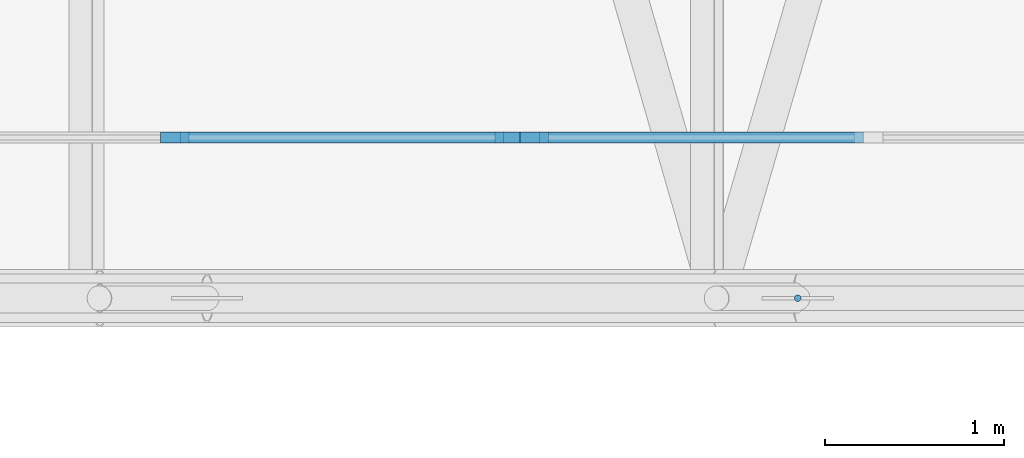
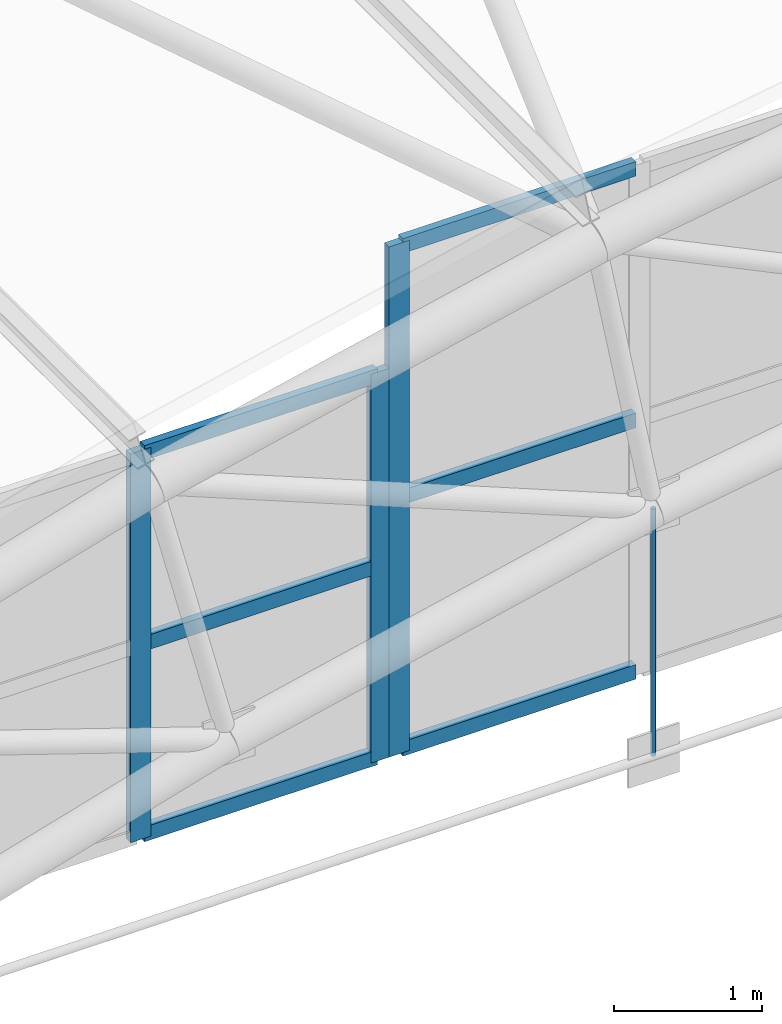
# One storey, part 115 of 321: 10 members, 2 elements without a shape of their own.
"""IFC4 building model written with IfcOpenShell, lengths in metres."""

import ifcopenshell
import ifcopenshell.guid

model = None  # the IFC model being written
_history = None  # IfcOwnerHistory: only IFC2X3 demands one
_inside = {}  # id of a spatial element -> (the spatial element, [elements in it])
_under = {}  # id of a project, library or spatial element -> (it, [spatial elements below it])
_declared = {}  # id of a project -> (the project, [libraries it declares])
_typed = {}  # id of a type object -> (the type object, [elements of that type])
_made_of = {}  # id of a material, layer set ... -> (it, [elements and type objects made of it])


def new_model(schema):
    """Start an empty IFC model of exactly this schema.

    Asked for "IFC4X3", IfcOpenShell would pick the latest addendum, in which some entities
    have other attributes; the version numbers below select the first issue.
    IFC2X3 requires an IfcOwnerHistory on every rooted entity: one is made here for all.
    """
    global model, _history
    if schema == "IFC4X3":
        model = ifcopenshell.file(schema_version=(4, 3, 0, 0))
    else:
        model = ifcopenshell.file(schema=schema)
    _inside.clear()
    _under.clear()
    _declared.clear()
    _typed.clear()
    _made_of.clear()
    _history = None
    if model.schema == "IFC2X3":
        org = make("IfcOrganization", Name="unknown")
        user = make(
            "IfcPersonAndOrganization",
            ThePerson=make("IfcPerson", FamilyName="unknown"),
            TheOrganization=org,
        )
        app = make(
            "IfcApplication",
            ApplicationDeveloper=org,
            Version="unknown",
            ApplicationFullName="unknown",
            ApplicationIdentifier="unknown",
        )
        _history = make(
            "IfcOwnerHistory",
            OwningUser=user,
            OwningApplication=app,
            ChangeAction="ADDED",
            CreationDate=0,
        )
    return model


def make(cls, **values):
    """One entity of the class cls with the attributes given. An attribute that is None is left unset."""
    return model.create_entity(
        cls, **{name: value for name, value in values.items() if value is not None}
    )


def rooted(cls, **values):
    """An entity with a GlobalId (a new one), such as an element, a storey or a relation."""
    return make(cls, GlobalId=ifcopenshell.guid.new(), OwnerHistory=_history, **values)


def si_unit(unit_type, name, prefix=None):
    """IfcSIUnit, for example si_unit("LENGTHUNIT", "METRE", prefix="MILLI")."""
    return make("IfcSIUnit", UnitType=unit_type, Prefix=prefix, Name=name)


def assignment(units):
    """IfcUnitAssignment: the units of a project."""
    return None if units is None else make("IfcUnitAssignment", Units=units)


def point(xyz):
    """IfcCartesianPoint."""
    return None if xyz is None else make("IfcCartesianPoint", Coordinates=xyz)


def direction(xyz):
    """IfcDirection."""
    return None if xyz is None else make("IfcDirection", DirectionRatios=xyz)


def frame(location, z_axis=None, x_axis=None):
    """IfcAxis2Placement3D, a coordinate frame: its origin and axes. An axis left out is left unset."""
    return make(
        "IfcAxis2Placement3D",
        Location=point(location),
        Axis=direction(z_axis),
        RefDirection=direction(x_axis),
    )


def frame_2d(location, x_axis=None):
    """IfcAxis2Placement2D, a coordinate frame in the plane: its origin and x axis."""
    return make(
        "IfcAxis2Placement2D", Location=point(location), RefDirection=direction(x_axis)
    )


def origin():
    """The frame at (0, 0, 0) with its axes left unset."""
    return frame((0.0, 0.0, 0.0))


def origin_2d():
    """The frame at (0, 0) in the plane with its x axis left unset."""
    return frame_2d((0.0, 0.0))


def place(relative_to, where):
    """IfcLocalPlacement: puts the frame where relative to a parent placement (None: the world)."""
    return make(
        "IfcLocalPlacement", PlacementRelTo=relative_to, RelativePlacement=where
    )


def context(
    kind, dimensions, precision=None, world=None, true_north=None, identifier=None
):
    """IfcGeometricRepresentationContext, for example the 3D "Model" context."""
    return make(
        "IfcGeometricRepresentationContext",
        ContextIdentifier=identifier,
        ContextType=kind,
        CoordinateSpaceDimension=dimensions,
        Precision=precision,
        WorldCoordinateSystem=world,
        TrueNorth=true_north,
    )


def subcontext(parent, identifier, kind, view, scale=None):
    """IfcGeometricRepresentationSubContext, for example "Body" below "Model"."""
    return make(
        "IfcGeometricRepresentationSubContext",
        ContextIdentifier=identifier,
        ContextType=kind,
        ParentContext=parent,
        TargetScale=scale,
        TargetView=view,
    )


def project(units=None, contexts=None):
    """IfcProject with its units and contexts."""
    return rooted(
        "IfcProject",
        Name="project",
        RepresentationContexts=contexts,
        UnitsInContext=assignment(units),
    )


def spatial(cls, under=None, at=None, **own):
    """A site, building, storey or space (cls), placed at a placement, below another one or the project."""
    s = rooted(cls, ObjectPlacement=at, **own)
    if under is not None:
        _under.setdefault(under.id(), (under, []))[1].append(s)
    return s


def profile(cls, at=None, kind="AREA", **sizes):
    """A parametric profile (cls). Its sizes go by their IFC names, for example OverallWidth=200.0."""
    return make(cls, ProfileType=kind, Position=at, **sizes)


def rectangle(**sizes):
    """IfcRectangleProfileDef."""
    return profile("IfcRectangleProfileDef", **sizes)


def circle(**sizes):
    """IfcCircleProfileDef."""
    return profile("IfcCircleProfileDef", **sizes)


def extrude(swept, where, along, depth):
    """IfcExtrudedAreaSolid: the profile swept, set in the frame where, extruded along a direction by depth."""
    return make(
        "IfcExtrudedAreaSolid",
        SweptArea=swept,
        Position=where,
        ExtrudedDirection=direction(along),
        Depth=depth,
    )


def shape(context_of_items, identifier, shape_type, items):
    """IfcShapeRepresentation: the items that make up one representation, for example the "Body"."""
    return make(
        "IfcShapeRepresentation",
        ContextOfItems=context_of_items,
        RepresentationIdentifier=identifier,
        RepresentationType=shape_type,
        Items=items,
    )


def material(Name=None, Category=None):
    """IfcMaterial."""
    return make("IfcMaterial", Name=Name, Category=Category)


def layer(
    of_material, thickness, ventilated=None, Name=None, Category=None, Priority=None
):
    """IfcMaterialLayer: one layer of a wall or slab, of a material (None: an air gap)."""
    return make(
        "IfcMaterialLayer",
        Material=of_material,
        LayerThickness=thickness,
        IsVentilated=ventilated,
        Name=Name,
        Category=Category,
        Priority=Priority,
    )


def layer_set(layers, Name=None):
    """IfcMaterialLayerSet."""
    return make("IfcMaterialLayerSet", MaterialLayers=layers, LayerSetName=Name)


def material_profile(
    of_material, cross_section, Name=None, Category=None, Priority=None
):
    """IfcMaterialProfile: a cross section and its material."""
    return make(
        "IfcMaterialProfile",
        Name=Name,
        Material=of_material,
        Profile=cross_section,
        Priority=Priority,
        Category=Category,
    )


def profile_set(profiles, Name=None, composite=None):
    """IfcMaterialProfileSet."""
    return make(
        "IfcMaterialProfileSet",
        Name=Name,
        MaterialProfiles=profiles,
        CompositeProfile=composite,
    )


def made_of(thing, what):
    """Note that an element or type object is made of a material, layer set ...; save() writes the relation."""
    if what is not None:
        _made_of.setdefault(what.id(), (what, []))[1].append(thing)
    return thing


def type_object(cls, material=None, **own):
    """A type object (cls), such as IfcWallType, which elements share."""
    return made_of(rooted(cls, **own), material)


def element(
    cls,
    number,
    at=None,
    inside=None,
    cuts=None,
    type_object=None,
    material=None,
    context=None,
    identifier="Body",
    shape_type=None,
    held_by="IfcProductDefinitionShape",
    body=None,
    shapes=None,
    **own,
):
    """One element of the class cls, such as IfcWall. Its Tag is "e" and its number.

    at: its placement. inside: the storey or other place that contains it. cuts: it is an
    opening in that element (IfcRelVoidsElement). A single representation is given by context,
    identifier, shape_type and body (its items); several are given by shapes. held_by: the class
    of the entity that holds the representations. save() writes the other relations.
    """
    e = rooted(cls, Tag="e%d" % number, ObjectPlacement=at, **own)
    if body is not None:
        shapes = [shape(context, identifier, shape_type, body)]
    if shapes is not None:
        e.Representation = make(held_by, Representations=shapes)
    if inside is not None:
        _inside.setdefault(inside.id(), (inside, []))[1].append(e)
    if cuts is not None:
        rooted(
            "IfcRelVoidsElement", RelatingBuildingElement=cuts, RelatedOpeningElement=e
        )
    if type_object is not None:
        _typed.setdefault(type_object.id(), (type_object, []))[1].append(e)
    return made_of(e, material)


def aggregate(whole, parts):
    """IfcRelAggregates: a whole, such as a stair, and the parts it consists of."""
    return rooted("IfcRelAggregates", RelatingObject=whole, RelatedObjects=parts)


def save(model, path):
    """Write the relations noted so far, then the file.

    IfcRelAggregates (storeys below a building ...), IfcRelContainedInSpatialStructure (elements
    in a storey), IfcRelDefinesByType, IfcRelAssociatesMaterial and IfcRelDeclares: one each for
    every whole, place, type object, material and project.
    """
    for whole, parts in _under.values():
        aggregate(whole, parts)
    for where, things in _inside.values():
        rooted(
            "IfcRelContainedInSpatialStructure",
            RelatedElements=things,
            RelatingStructure=where,
        )
    for kind, things in _typed.values():
        rooted("IfcRelDefinesByType", RelatedObjects=things, RelatingType=kind)
    for what, things in _made_of.values():
        rooted("IfcRelAssociatesMaterial", RelatedObjects=things, RelatingMaterial=what)
    for by, libraries in _declared.values():
        rooted("IfcRelDeclares", RelatingContext=by, RelatedDefinitions=libraries)
    model.write(path)


model = new_model("IFC4")

# Units and contexts
model_context = context("Model", 3, precision=1e-05, world=origin(), true_north=direction((0.0, 1.0)))
body_context = subcontext(model_context, "Body", "Model", "MODEL_VIEW")
ifc_project = project(units=[si_unit("LENGTHUNIT", "METRE"), si_unit("AREAUNIT", "SQUARE_METRE"), si_unit("VOLUMEUNIT", "CUBIC_METRE"), si_unit("PLANEANGLEUNIT", "RADIAN"), si_unit("MASSUNIT", "GRAM", prefix="KILO")], contexts=[model_context])

# Site, building, storey
site_placement = place(None, origin())
site = spatial("IfcSite", under=ifc_project, at=site_placement, CompositionType="ELEMENT")
building_placement = place(site_placement, origin())
building = spatial("IfcBuilding", under=site, at=building_placement, Name="Ravi Spectrum Wholesale Market", CompositionType="ELEMENT")
storey_placement = place(building_placement, frame((0.0, 0.0, 10.800048828125)))
storey = spatial("IfcBuildingStorey", under=building, at=storey_placement, Name="L02", CompositionType="ELEMENT", Elevation=10.800048828125)

# Curtain wall, members
ifc_material_1 = material(Name="Aluminium 6063-T6", Category="aluminium")
ifc_layer = layer(ifc_material_1, 0.14990234375)
ifc_layer_set = layer_set([ifc_layer], Name="Aluminium 6063-T6")
curtain_wall_type = type_object("IfcCurtainWallType", Name="Curtain wall 150", PredefinedType="NOTDEFINED", material=ifc_layer_set)
curtain_wall_1_placement = place(storey_placement, origin())
curtain_wall_1 = element("IfcCurtainWall", 1, at=curtain_wall_1_placement, inside=storey, type_object=curtain_wall_type, Name="H2-CW-L02-002", PredefinedType="NOTDEFINED")
ifc_material_2 = material(Name="Aluminium 6063-T6", Category="aluminium")
ifc_material_profile_1 = material_profile(ifc_material_2, rectangle(XDim=0.06005859375, YDim=0.159912109375, at=origin_2d()))
ifc_profile_set_1 = profile_set([ifc_material_profile_1], Name="Aluminium 6063-T6")
member_type_1 = type_object("IfcMemberType", Name="Mullion 60 x 160", PredefinedType="MULLION", material=ifc_profile_set_1)
member_1_placement = place(storey_placement, frame((160.3984375, 78.89990234375, 0.0), z_axis=(0.0, 0.0, 1.0), x_axis=(0.0, 1.0, 0.0)))
member_1 = element("IfcMember", 2, at=member_1_placement, type_object=member_type_1, Name="H2-CW-L02-002 mullion 2", PredefinedType="MULLION", context=body_context, shape_type="SweptSolid", body=[
    extrude(rectangle(XDim=0.06005859375, YDim=0.159912109375, at=origin_2d()), origin(), (0.0, 0.0, 1.0), 3.199951171875),
])
member_2_placement = place(storey_placement, frame((162.271484375, 78.89990234375, 0.0), z_axis=(0.0, 0.0, 1.0), x_axis=(0.0, 1.0, 0.0)))
member_2 = element("IfcMember", 3, at=member_2_placement, type_object=member_type_1, Name="H2-CW-L02-002 mullion 3", PredefinedType="MULLION", context=body_context, shape_type="SweptSolid", body=[
    extrude(rectangle(XDim=0.06005859375, YDim=0.159912109375, at=origin_2d()), origin(), (0.0, 0.0, 1.0), 3.199951171875),
])

# Curtain wall, member
curtain_wall_2_placement = place(storey_placement, origin())
curtain_wall_2 = element("IfcCurtainWall", 4, at=curtain_wall_2_placement, inside=storey, type_object=curtain_wall_type, Name="H2-CW-L02-003", PredefinedType="NOTDEFINED")
member_3_placement = place(storey_placement, frame((162.41162109375, 78.89990234375, 0.0), z_axis=(0.0, 0.0, 1.0), x_axis=(0.0, 1.0, 0.0)))
member_3 = element("IfcMember", 5, at=member_3_placement, type_object=member_type_1, Name="H2-CW-L02-003 mullion 1", PredefinedType="MULLION", context=body_context, shape_type="SweptSolid", body=[
    extrude(rectangle(XDim=0.06005859375, YDim=0.159912109375, at=origin_2d()), origin(), (0.0, 0.0, 1.0), 4.199951171875),
])

# Member
ifc_material_3 = material(Name="Steel S355", Category="steel")
ifc_material_profile_2 = material_profile(ifc_material_3, circle(Radius=0.01806640625, at=origin_2d()))
ifc_profile_set_2 = profile_set([ifc_material_profile_2], Name="Steel S355")
member_type_2 = type_object("IfcMemberType", Name="ROD 36 hanger", PredefinedType="STRUT", material=ifc_profile_set_2)
member_4_placement = place(storey_placement, frame((163.88671875, 78.0, 0.0), z_axis=(0.0, 0.0, 1.0), x_axis=(1.0, 0.0, 0.0)))
element("IfcMember", 6, at=member_4_placement, inside=storey, type_object=member_type_2, Name="H2-MB-L02-055", PredefinedType="STRUT", context=body_context, shape_type="SweptSolid", body=[
    extrude(circle(Radius=0.01806640625, at=origin_2d()), origin(), (0.0, 0.0, 1.0), 2.037841796875),
])

ifc_material_4 = material(Name="Aluminium 6063-T6", Category="aluminium")
ifc_material_profile_3 = material_profile(ifc_material_4, rectangle(XDim=0.06005859375, YDim=0.1201171875, at=origin_2d()))
ifc_profile_set_3 = profile_set([ifc_material_profile_3], Name="Aluminium 6063-T6")
member_type_3 = type_object("IfcMemberType", Name="Transom 60 x 120", PredefinedType="USERDEFINED", material=ifc_profile_set_3)
member_5_placement = place(storey_placement, frame((160.428466796875, 78.89990234375, 0.030029296875), z_axis=(1.0, 0.0, 0.0), x_axis=(0.0, 1.0, 0.0)))
member_5 = element("IfcMember", 7, at=member_5_placement, type_object=member_type_3, Name="H2-CW-L02-002 transom 2.1", ObjectType="TRANSOM", PredefinedType="USERDEFINED", context=body_context, shape_type="SweptSolid", body=[
    extrude(rectangle(XDim=0.06005859375, YDim=0.1201171875, at=origin_2d()), origin(), (0.0, 0.0, 1.0), 1.813232421875),
])

member_6_placement = place(storey_placement, frame((160.428466796875, 78.89990234375, 1.599853515625), z_axis=(1.0, 0.0, 0.0), x_axis=(0.0, 1.0, 0.0)))
member_6 = element("IfcMember", 8, at=member_6_placement, type_object=member_type_3, Name="H2-CW-L02-002 transom 2.2", ObjectType="TRANSOM", PredefinedType="USERDEFINED", context=body_context, shape_type="SweptSolid", body=[
    extrude(rectangle(XDim=0.06005859375, YDim=0.1201171875, at=origin_2d()), origin(), (0.0, 0.0, 1.0), 1.813232421875),
])

member_7_placement = place(storey_placement, frame((160.428466796875, 78.89990234375, 3.169921875), z_axis=(1.0, 0.0, 0.0), x_axis=(0.0, 1.0, 0.0)))
member_7 = element("IfcMember", 9, at=member_7_placement, type_object=member_type_3, Name="H2-CW-L02-002 transom 2.3", ObjectType="TRANSOM", PredefinedType="USERDEFINED", context=body_context, shape_type="SweptSolid", body=[
    extrude(rectangle(XDim=0.06005859375, YDim=0.1201171875, at=origin_2d()), origin(), (0.0, 0.0, 1.0), 1.813232421875),
])

aggregate(curtain_wall_1, [member_1, member_2, member_5, member_6, member_7])

member_8_placement = place(storey_placement, frame((162.441650390625, 78.89990234375, 0.030029296875), z_axis=(1.0, 0.0, 0.0), x_axis=(0.0, 1.0, 0.0)))
member_8 = element("IfcMember", 10, at=member_8_placement, type_object=member_type_3, Name="H2-CW-L02-003 transom 1.1", ObjectType="TRANSOM", PredefinedType="USERDEFINED", context=body_context, shape_type="SweptSolid", body=[
    extrude(rectangle(XDim=0.06005859375, YDim=0.1201171875, at=origin_2d()), origin(), (0.0, 0.0, 1.0), 1.81298828125),
])

member_9_placement = place(storey_placement, frame((162.441650390625, 78.89990234375, 2.099853515625), z_axis=(1.0, 0.0, 0.0), x_axis=(0.0, 1.0, 0.0)))
member_9 = element("IfcMember", 11, at=member_9_placement, type_object=member_type_3, Name="H2-CW-L02-003 transom 1.2", ObjectType="TRANSOM", PredefinedType="USERDEFINED", context=body_context, shape_type="SweptSolid", body=[
    extrude(rectangle(XDim=0.06005859375, YDim=0.1201171875, at=origin_2d()), origin(), (0.0, 0.0, 1.0), 1.81298828125),
])

member_10_placement = place(storey_placement, frame((162.441650390625, 78.89990234375, 4.169921875), z_axis=(1.0, 0.0, 0.0), x_axis=(0.0, 1.0, 0.0)))
member_10 = element("IfcMember", 12, at=member_10_placement, type_object=member_type_3, Name="H2-CW-L02-003 transom 1.3", ObjectType="TRANSOM", PredefinedType="USERDEFINED", context=body_context, shape_type="SweptSolid", body=[
    extrude(rectangle(XDim=0.06005859375, YDim=0.1201171875, at=origin_2d()), origin(), (0.0, 0.0, 1.0), 1.81298828125),
])

aggregate(curtain_wall_2, [member_3, member_8, member_9, member_10])

save(model, "model.ifc")
